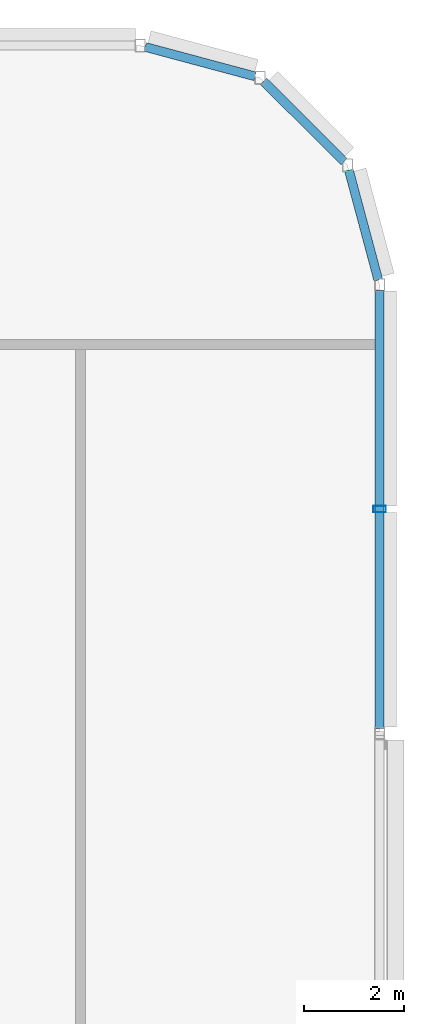
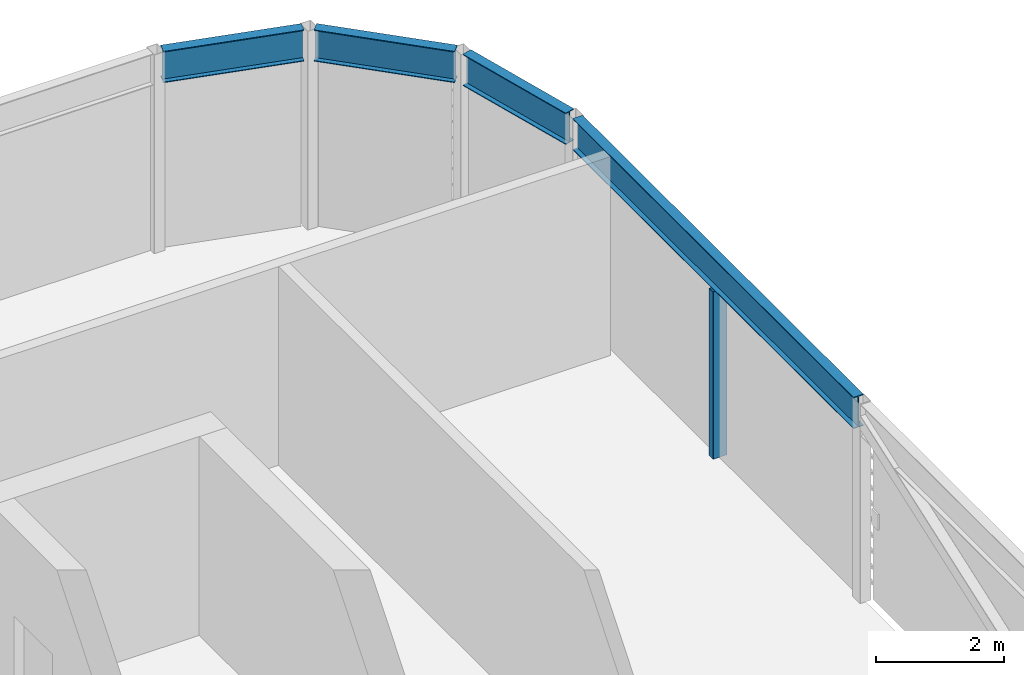
# One storey, part 14 of 28: 4 beams, 1 member.
"""IFC4 building model written with IfcOpenShell, lengths in metres."""

from ifc_helpers import new_model, si_unit, direction, frame, origin, origin_2d, place, context, subcontext, project, spatial, hollow_rectangle, i_section, extrude, material, material_profile, profile_set, type_object, element, save


model = new_model("IFC4")

# Units and contexts
model_context = context("Model", 3, precision=1e-05, world=origin(), true_north=direction((0.0, 1.0)))
body_context = subcontext(model_context, "Body", "Model", "MODEL_VIEW")
ifc_project = project(units=[si_unit("LENGTHUNIT", "METRE"), si_unit("AREAUNIT", "SQUARE_METRE"), si_unit("VOLUMEUNIT", "CUBIC_METRE"), si_unit("PLANEANGLEUNIT", "RADIAN"), si_unit("MASSUNIT", "GRAM", prefix="KILO")], contexts=[model_context])

# Site, building, storey
site_placement = place(None, origin())
site = spatial("IfcSite", under=ifc_project, at=site_placement, CompositionType="ELEMENT")
building_placement = place(site_placement, origin())
building = spatial("IfcBuilding", under=site, at=building_placement, Name="Madar Terraces", CompositionType="ELEMENT")
storey_placement = place(building_placement, frame((0.0, 0.0, 305.89990234375)))
storey = spatial("IfcBuildingStorey", under=building, at=storey_placement, Name="L79", CompositionType="ELEMENT", Elevation=305.89990234375)

# Beams
ifc_material_1 = material(Name="Steel ASTM A992 Grade 50", Category="steel")
ifc_material_profile_1 = material_profile(ifc_material_1, i_section(OverallWidth=0.1787109375, OverallDepth=0.60205078125, WebThickness=0.010986328125, FlangeThickness=0.014892578125, at=origin_2d()), Name="W24x62")
ifc_profile_set_1 = profile_set([ifc_material_profile_1], Name="Steel ASTM A992 Grade 50")
beam_type = type_object("IfcBeamType", Name="CF2 W24x62", PredefinedType="BEAM", material=ifc_profile_set_1)
beam_1_placement = place(storey_placement, frame((56.39990234375, 33.1015625, 3.4990234375), z_axis=(0.0, 1.0, 0.0), x_axis=(-1.0, 0.0, 0.0)))
element("IfcBeam", 1, at=beam_1_placement, inside=storey, type_object=beam_type, Name="Crown frame ring beam CF2", PredefinedType="BEAM", context=body_context, shape_type="SweptSolid", body=[
    extrude(i_section(OverallWidth=0.1787109375, OverallDepth=0.60205078125, WebThickness=0.010986328125, FlangeThickness=0.014892578125, at=origin_2d()), origin(), (0.0, 0.0, 1.0), 8.796875),
])
beam_2_placement = place(storey_placement, frame((56.373779296875, 42.09814453125, 3.4990234375), z_axis=(-0.258868028067, 0.965912700012, 0.0), x_axis=(-0.965912700012, -0.258868028067, 0.0)))
element("IfcBeam", 2, at=beam_2_placement, inside=storey, type_object=beam_type, Name="Crown frame ring beam CF2", PredefinedType="BEAM", context=body_context, shape_type="SweptSolid", body=[
    extrude(i_section(OverallWidth=0.1787109375, OverallDepth=0.60205078125, WebThickness=0.010986328125, FlangeThickness=0.014892578125, at=origin_2d()), origin(), (0.0, 0.0, 1.0), 2.281494140625),
])
beam_3_placement = place(storey_placement, frame((55.68505859375, 44.471923828125, 3.4990234375), z_axis=(-0.707160287053, 0.707053271271, 0.0), x_axis=(-0.707053271271, -0.707160287053, 0.0)))
element("IfcBeam", 3, at=beam_3_placement, inside=storey, type_object=beam_type, Name="Crown frame ring beam CF2", PredefinedType="BEAM", context=body_context, shape_type="SweptSolid", body=[
    extrude(i_section(OverallWidth=0.1787109375, OverallDepth=0.60205078125, WebThickness=0.010986328125, FlangeThickness=0.014892578125, at=origin_2d()), origin(), (0.0, 0.0, 1.0), 2.28125),
])
beam_4_placement = place(storey_placement, frame((53.90185546875, 46.18310546875, 3.4990234375), z_axis=(-0.965912700012, 0.258868028067, 0.0), x_axis=(-0.258868028067, -0.965912700012, 0.0)))
element("IfcBeam", 4, at=beam_4_placement, inside=storey, type_object=beam_type, Name="Crown frame ring beam CF2", PredefinedType="BEAM", context=body_context, shape_type="SweptSolid", body=[
    extrude(i_section(OverallWidth=0.1787109375, OverallDepth=0.60205078125, WebThickness=0.010986328125, FlangeThickness=0.014892578125, at=origin_2d()), origin(), (0.0, 0.0, 1.0), 2.281494140625),
])

# Member
ifc_material_2 = material(Name="Steel ASTM A500 Grade C", Category="steel")
ifc_material_profile_2 = material_profile(ifc_material_2, hollow_rectangle(XDim=0.126953125, YDim=0.25390625, WallThickness=0.00634765625, InnerFilletRadius=0.0029296875, OuterFilletRadius=0.0087890625, at=origin_2d()), Name="HSS10x5x.25")
ifc_profile_set_2 = profile_set([ifc_material_profile_2], Name="Steel ASTM A500 Grade C")
member_type = type_object("IfcMemberType", Name="LS2 HSS10x5x.25", PredefinedType="POST", material=ifc_profile_set_2)
member_placement = place(storey_placement, frame((56.39990234375, 37.5, 0.0), z_axis=(0.0, 0.0, 1.0), x_axis=(0.0, 1.0, 0.0)))
element("IfcMember", 5, at=member_placement, inside=storey, type_object=member_type, Name="Crown louvre post LS2", PredefinedType="POST", context=body_context, shape_type="SweptSolid", body=[
    extrude(hollow_rectangle(XDim=0.126953125, YDim=0.25390625, WallThickness=0.00634765625, InnerFilletRadius=0.0029296875, OuterFilletRadius=0.0087890625, at=origin_2d()), origin(), (0.0, 0.0, 1.0), 3.197998046875),
])

save(model, "model.ifc")
